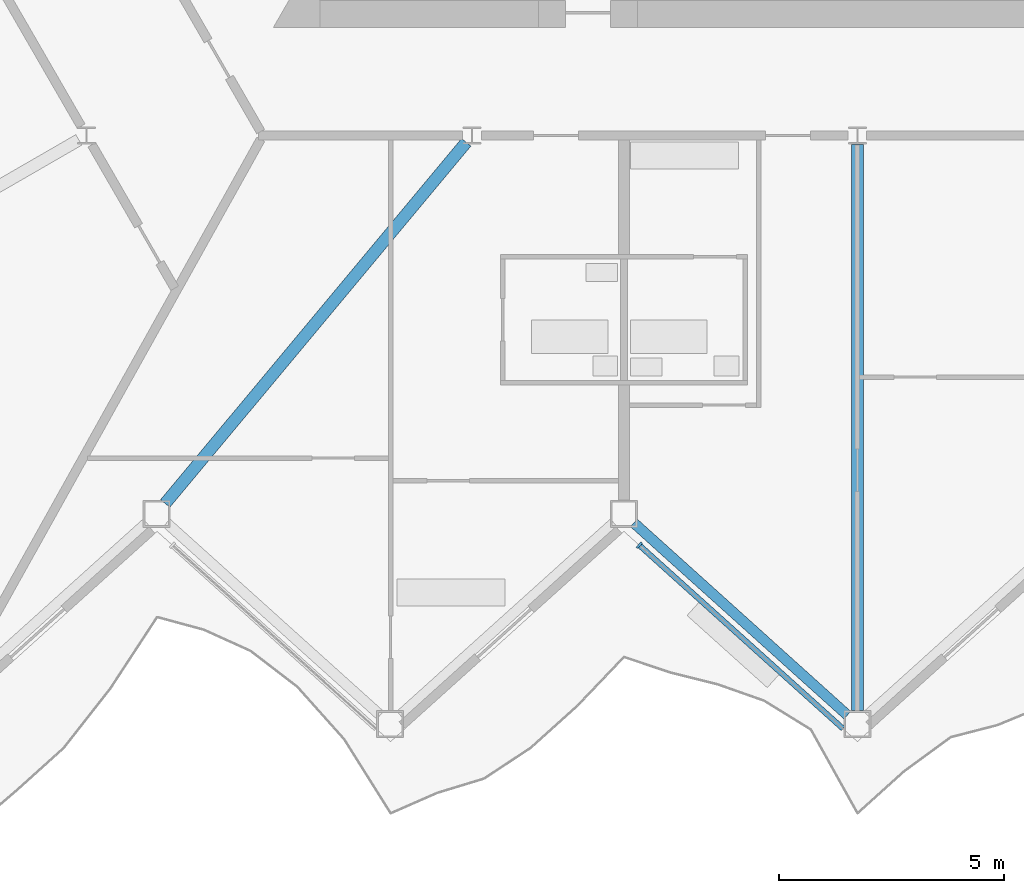
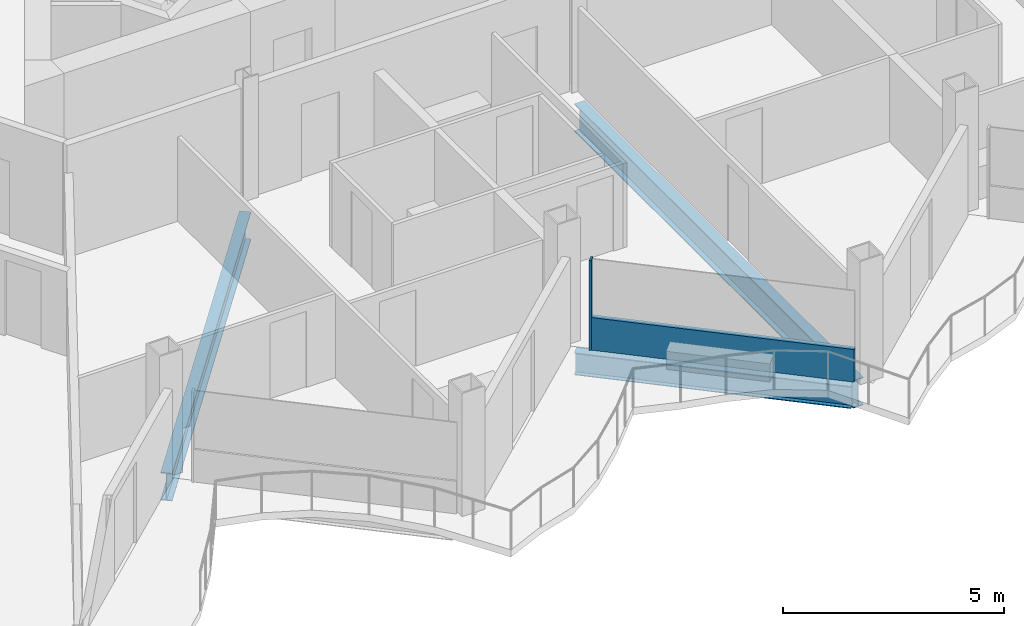
# One storey, part 5 of 26: 3 beams, 2 members, 1 element without a shape of its own.
"""IFC4 building model written with IfcOpenShell, lengths in metres."""

from ifc_helpers import new_model, si_unit, direction, frame, origin, origin_2d, place, context, subcontext, project, spatial, rectangle, i_section, extrude, material, layer, layer_set, material_profile, profile_set, type_object, element, aggregate, save


model = new_model("IFC4")

# Units and contexts
model_context = context("Model", 3, precision=1e-05, world=origin(), true_north=direction((0.0, 1.0)))
body_context = subcontext(model_context, "Body", "Model", "MODEL_VIEW")
ifc_project = project(units=[si_unit("LENGTHUNIT", "METRE"), si_unit("AREAUNIT", "SQUARE_METRE"), si_unit("VOLUMEUNIT", "CUBIC_METRE"), si_unit("PLANEANGLEUNIT", "RADIAN"), si_unit("MASSUNIT", "GRAM", prefix="KILO")], contexts=[model_context])

# Site, building, storey
site_placement = place(None, origin())
site = spatial("IfcSite", under=ifc_project, at=site_placement, CompositionType="ELEMENT")
building_placement = place(site_placement, origin())
building = spatial("IfcBuilding", under=site, at=building_placement, Name="Cormorant Prow Tower", CompositionType="ELEMENT")
storey_placement = place(building_placement, frame((0.0, 0.0, 325.60009765625)))
storey = spatial("IfcBuildingStorey", under=building, at=storey_placement, Name="L72", CompositionType="ELEMENT", Elevation=325.60009765625)

# Beams
ifc_material_1 = material(Name="Structural steel ASTM A992 Gr 50", Category="steel")
ifc_material_profile_1 = material_profile(ifc_material_1, i_section(OverallWidth=0.267822265625, OverallDepth=0.77001953125, WebThickness=0.015625, FlangeThickness=0.025390625, at=origin_2d()), Name="W30x132")
ifc_profile_set_1 = profile_set([ifc_material_profile_1], Name="Structural steel ASTM A992 Gr 50")
beam_type_1 = type_object("IfcBeamType", Name="Radial floor beam W30x132", PredefinedType="BEAM", material=ifc_profile_set_1)
beam_1_placement = place(storey_placement, frame((-8.705078125, -10.057373046875, -0.68505859375), z_axis=(-0.640239469619, -0.768175384624, 0.0), x_axis=(0.768175384624, -0.640239469619, 0.0)))
element("IfcBeam", 1, at=beam_1_placement, inside=storey, type_object=beam_type_1, Name="Radial floor beam FB3 6 L72", PredefinedType="BEAM", context=body_context, shape_type="SweptSolid", body=[
    extrude(i_section(OverallWidth=0.267822265625, OverallDepth=0.77001953125, WebThickness=0.015625, FlangeThickness=0.025390625, at=origin_2d()), origin(), (0.0, 0.0, 1.0), 10.465087890625),
])
beam_2_placement = place(storey_placement, frame((0.0, -10.103271484375, -0.68505859375), z_axis=(0.0, -1.0, 0.0), x_axis=(1.0, 0.0, 0.0)))
element("IfcBeam", 2, at=beam_2_placement, inside=storey, type_object=beam_type_1, Name="Radial floor beam FB3 7 L72", PredefinedType="BEAM", context=body_context, shape_type="SweptSolid", body=[
    extrude(i_section(OverallWidth=0.267822265625, OverallDepth=0.77001953125, WebThickness=0.015625, FlangeThickness=0.025390625, at=origin_2d()), origin(), (0.0, 0.0, 1.0), 12.604736328125),
])

# Curtain wall, members
ifc_material_2 = material(Name="Aluminium 6063-T6", Category="aluminium")
ifc_layer = layer(ifc_material_2, 0.159912109375)
ifc_layer_set = layer_set([ifc_layer], Name="Aluminium 6063-T6")
curtain_wall_type = type_object("IfcCurtainWallType", Name="Residential unitised curtain wall 160", PredefinedType="NOTDEFINED", material=ifc_layer_set)
curtain_wall_placement = place(storey_placement, origin())
curtain_wall = element("IfcCurtainWall", 3, at=curtain_wall_placement, inside=storey, type_object=curtain_wall_type, Name="Residential curtain wall S04", PredefinedType="NOTDEFINED")
ifc_material_3 = material(Name="Aluminium 6063-T6", Category="aluminium")
ifc_material_profile_2 = material_profile(ifc_material_3, rectangle(XDim=0.159912109375, YDim=0.050048828125, at=origin_2d()), Name="Residential mullion 50x160")
ifc_profile_set_2 = profile_set([ifc_material_profile_2], Name="Aluminium 6063-T6")
member_type_1 = type_object("IfcMemberType", Name="Residential mullion 50x160", PredefinedType="MULLION", material=ifc_profile_set_2)
member_1_placement = place(storey_placement, frame((-4.853515625, -19.025146484375, 0.0), z_axis=(0.0, 0.0, 1.0), x_axis=(0.669130654479, 0.74314478215, 0.0)))
member_1 = element("IfcMember", 4, at=member_1_placement, type_object=member_type_1, Name="Residential mullion S04", PredefinedType="MULLION", context=body_context, shape_type="SweptSolid", body=[
    extrude(rectangle(XDim=0.159912109375, YDim=0.050048828125, at=origin_2d()), origin(), (0.0, 0.0, 1.0), 2.48779296875),
])
ifc_material_4 = material(Name="Terracotta", Category="masonry")
ifc_material_profile_3 = material_profile(ifc_material_4, rectangle(XDim=0.1201171875, YDim=0.89990234375, at=origin_2d()), Name="Residential terracotta spandrel rail 120x900")
ifc_profile_set_3 = profile_set([ifc_material_profile_3], Name="Terracotta")
member_type_2 = type_object("IfcMemberType", Name="Residential terracotta spandrel rail 120x900", PredefinedType="USERDEFINED", material=ifc_profile_set_3)
member_2_placement = place(storey_placement, frame((-4.8349609375, -19.0419921875, 0.449951171875), z_axis=(0.74314818338, -0.669126877012, 0.0), x_axis=(0.669126877012, 0.74314818338, 0.0)))
member_2 = element("IfcMember", 5, at=member_2_placement, type_object=member_type_2, Name="Residential spandrel rail S04", ObjectType="TRANSOM", PredefinedType="USERDEFINED", context=body_context, shape_type="SweptSolid", body=[
    extrude(rectangle(XDim=0.1201171875, YDim=0.89990234375, at=origin_2d()), origin(), (0.0, 0.0, 1.0), 6.072021484375),
])
aggregate(curtain_wall, [member_1, member_2])

# Beam
ifc_material_5 = material(Name="Structural steel ASTM A992 Gr 50", Category="steel")
ifc_material_profile_4 = material_profile(ifc_material_5, i_section(OverallWidth=0.22900390625, OverallDepth=0.612060546875, WebThickness=0.011962890625, FlangeThickness=0.01953125, at=origin_2d()), Name="W24x84")
ifc_profile_set_4 = profile_set([ifc_material_profile_4], Name="Structural steel ASTM A992 Gr 50")
beam_type_2 = type_object("IfcBeamType", Name="Spandrel beam W24x84", PredefinedType="SPANDREL", material=ifc_profile_set_4)
beam_3_placement = place(storey_placement, frame((-4.97607421875, -18.527587890625, -0.606201171875), z_axis=(0.743144186555, -0.669131315954, 0.0), x_axis=(0.669131315954, 0.743144186555, 0.0)))
element("IfcBeam", 6, at=beam_3_placement, inside=storey, type_object=beam_type_2, Name="Spandrel beam SB3 S04-S05 L72", PredefinedType="SPANDREL", context=body_context, shape_type="SweptSolid", body=[
    extrude(i_section(OverallWidth=0.22900390625, OverallDepth=0.612060546875, WebThickness=0.011962890625, FlangeThickness=0.01953125, at=origin_2d()), origin(), (0.0, 0.0, 1.0), 6.39599609375),
])

save(model, "model.ifc")
